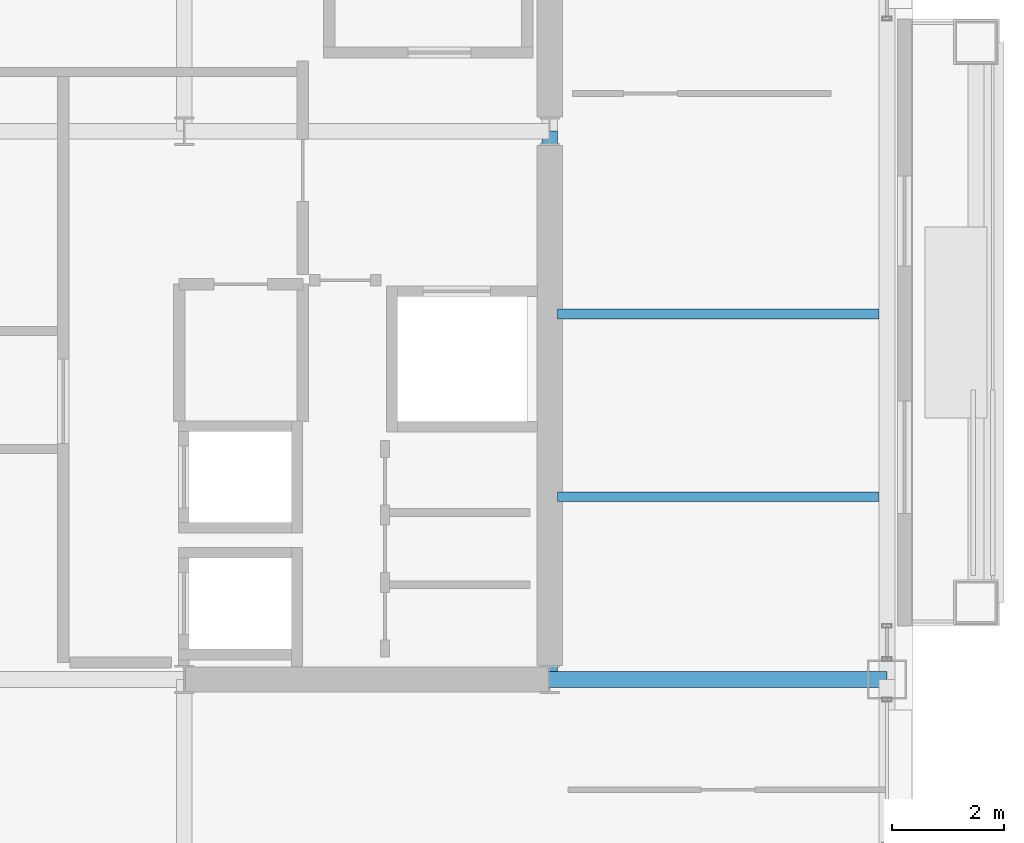
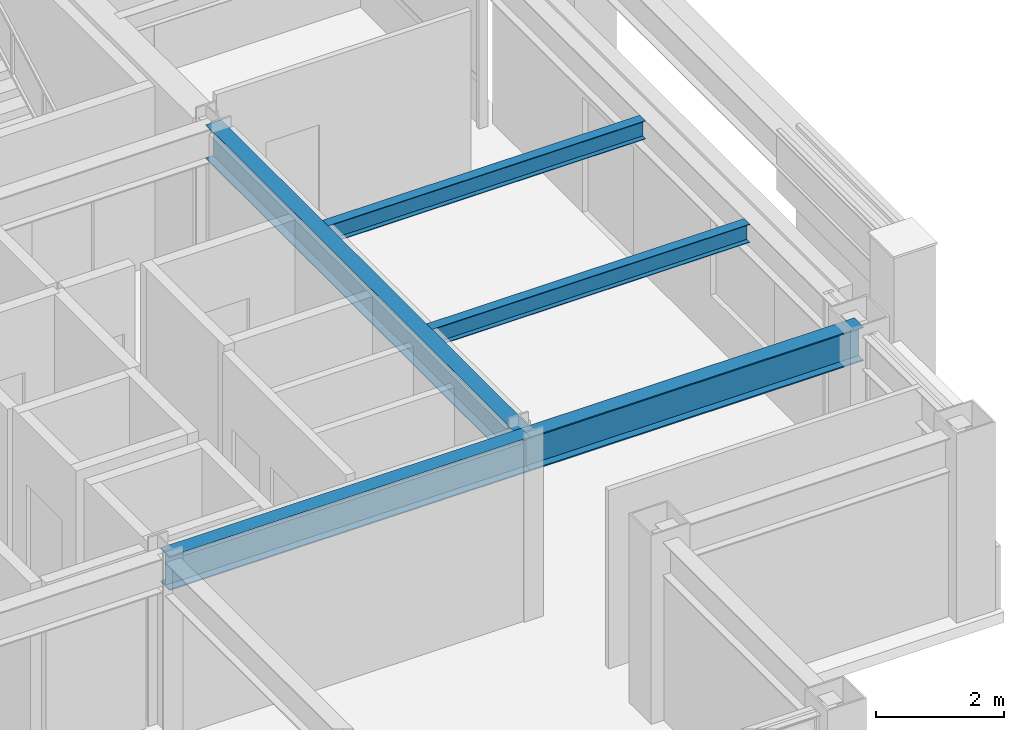
# One storey, part 13 of 29: 5 beams.
"""IFC4 building model written with IfcOpenShell, lengths in metres."""

from ifc_helpers import new_model, si_unit, direction, frame, origin, origin_2d, place, context, subcontext, project, spatial, i_section, extrude, material, material_profile, profile_set, type_object, element, save


model = new_model("IFC4")

# Units and contexts
model_context = context("Model", 3, precision=1e-05, world=origin(), true_north=direction((0.0, 1.0)))
body_context = subcontext(model_context, "Body", "Model", "MODEL_VIEW")
ifc_project = project(units=[si_unit("LENGTHUNIT", "METRE"), si_unit("AREAUNIT", "SQUARE_METRE"), si_unit("VOLUMEUNIT", "CUBIC_METRE"), si_unit("PLANEANGLEUNIT", "RADIAN"), si_unit("MASSUNIT", "GRAM", prefix="KILO")], contexts=[model_context])

# Site, building, storey
site_placement = place(None, origin())
site = spatial("IfcSite", under=ifc_project, at=site_placement, CompositionType="ELEMENT")
building_placement = place(site_placement, origin())
building = spatial("IfcBuilding", under=site, at=building_placement, Name="Brelmoor Portico Tower", CompositionType="ELEMENT")
storey_placement = place(building_placement, frame((0.0, 0.0, 201.89990234375)))
storey = spatial("IfcBuildingStorey", under=building, at=storey_placement, Name="L53", CompositionType="ELEMENT", Elevation=201.89990234375)

# Beams
ifc_material = material(Name="Steel Q355B", Category="steel")
ifc_material_profile_1 = material_profile(ifc_material, i_section(OverallWidth=0.175048828125, OverallDepth=0.35009765625, WebThickness=0.007080078125, FlangeThickness=0.010986328125, at=origin_2d()), Name="HN 350x175x7x11")
ifc_profile_set_1 = profile_set([ifc_material_profile_1], Name="Steel Q355B")
beam_type_1 = type_object("IfcBeamType", Name="BM-JS-350", PredefinedType="JOIST", material=ifc_profile_set_1)
for number, where, z_axis, x_axis, name in (
    (1, (14.68994140625, -6.5, 3.22509765625), (1.0, 0.0, 0.0), (0.0, 1.0, 0.0), "L53 Secondary Wing Joist JS-E09"),
    (2, (14.68994140625, -3.25, 3.22509765625), (1.0, 0.0, 0.0), (0.0, 1.0, 0.0), "L53 Secondary Wing Joist JS-E10"),
):
    element("IfcBeam", number, at=place(storey_placement, frame(where, z_axis=z_axis, x_axis=x_axis)), inside=storey, type_object=beam_type_1, Name=name, PredefinedType="JOIST", context=body_context, shape_type="SweptSolid", body=[
        extrude(i_section(OverallWidth=0.175048828125, OverallDepth=0.35009765625, WebThickness=0.007080078125, FlangeThickness=0.010986328125, at=origin_2d()), origin(), (0.0, 0.0, 1.0), 5.719970703125),
    ])
ifc_material_profile_2 = material_profile(ifc_material, i_section(OverallWidth=0.280029296875, OverallDepth=0.64990234375, WebThickness=0.012939453125, FlangeThickness=0.02197265625, at=origin_2d()), Name="HN 650x280x13x22")
ifc_profile_set_2 = profile_set([ifc_material_profile_2], Name="Steel Q355B")
beam_type_2 = type_object("IfcBeamType", Name="BM-PG-650", PredefinedType="BEAM", material=ifc_profile_set_2)
beam_1_placement = place(storey_placement, frame((14.550048828125, -9.75, 3.0751953125), z_axis=(0.0, 1.0, 0.0), x_axis=(-1.0, 0.0, 0.0)))
element("IfcBeam", 3, at=beam_1_placement, inside=storey, type_object=beam_type_2, Name="L53 Primary Floor Girder PG-09", PredefinedType="BEAM", context=body_context, shape_type="SweptSolid", body=[
    extrude(i_section(OverallWidth=0.280029296875, OverallDepth=0.64990234375, WebThickness=0.012939453125, FlangeThickness=0.02197265625, at=origin_2d()), origin(), (0.0, 0.0, 1.0), 9.75),
])
beam_2_placement = place(storey_placement, frame((8.050048828125, -9.75, 3.0751953125), z_axis=(1.0, 0.0, 0.0), x_axis=(0.0, 1.0, 0.0)))
element("IfcBeam", 4, at=beam_2_placement, inside=storey, type_object=beam_type_2, Name="L53 Primary Floor Girder PG-14", PredefinedType="BEAM", context=body_context, shape_type="SweptSolid", body=[
    extrude(i_section(OverallWidth=0.280029296875, OverallDepth=0.64990234375, WebThickness=0.012939453125, FlangeThickness=0.02197265625, at=origin_2d()), origin(), (0.0, 0.0, 1.0), 6.5),
])
beam_3_placement = place(storey_placement, frame((14.550048828125, -9.75, 3.0751953125), z_axis=(1.0, 0.0, 0.0), x_axis=(0.0, 1.0, 0.0)))
element("IfcBeam", 5, at=beam_3_placement, inside=storey, type_object=beam_type_2, Name="L53 Primary Floor Girder PG-15", PredefinedType="BEAM", context=body_context, shape_type="SweptSolid", body=[
    extrude(i_section(OverallWidth=0.280029296875, OverallDepth=0.64990234375, WebThickness=0.012939453125, FlangeThickness=0.02197265625, at=origin_2d()), origin(), (0.0, 0.0, 1.0), 6.0),
])

save(model, "model.ifc")
